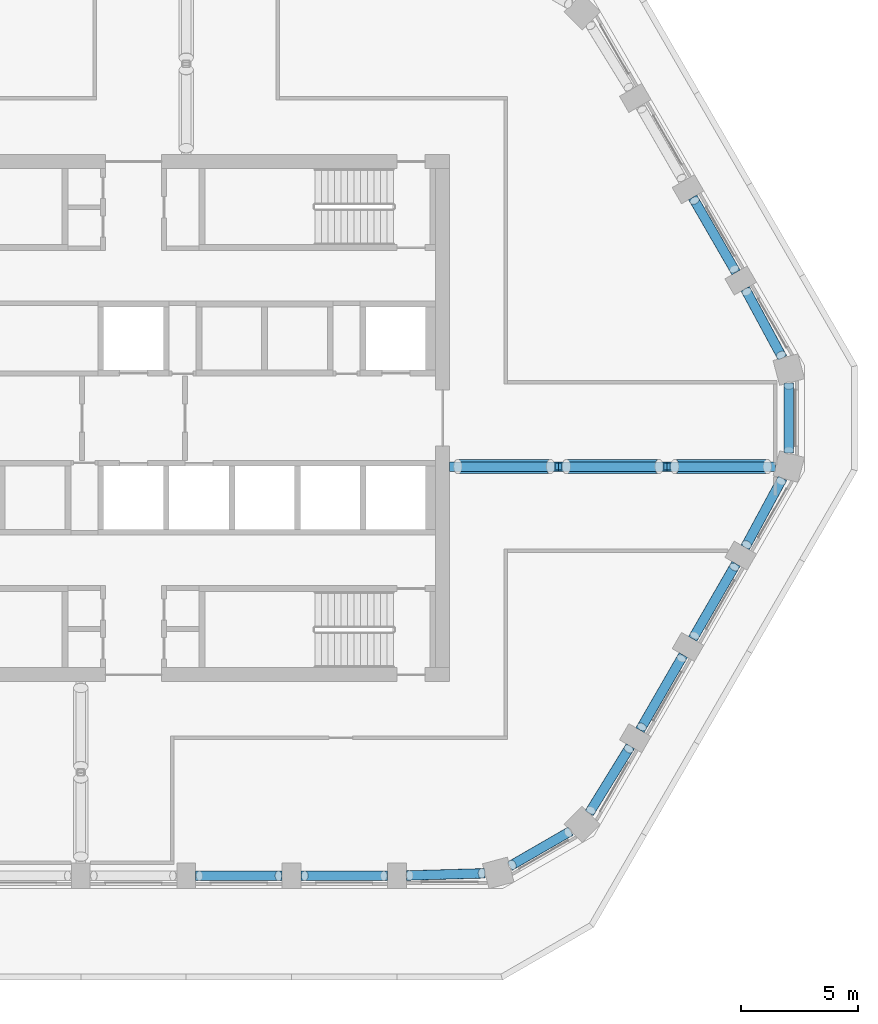
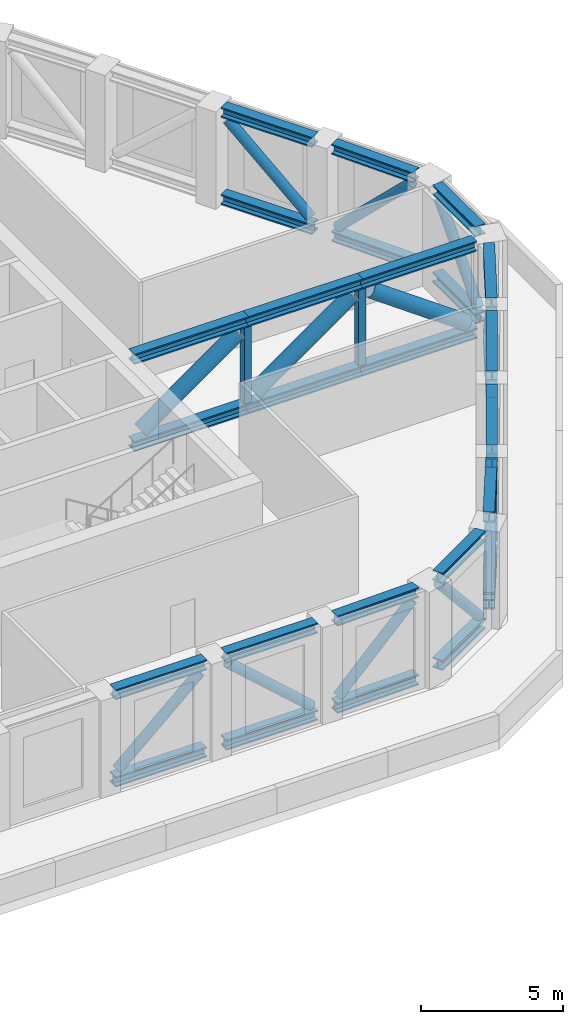
# One storey, part 3 of 15: 28 beams, 16 members.
"""IFC4 building model written with IfcOpenShell, lengths in metres."""

from ifc_helpers import new_model, si_unit, direction, frame, origin, origin_2d, place, context, subcontext, project, spatial, hollow_rectangle, hollow_circle, i_section, extrude, material, material_profile, profile_set, type_object, element, save


model = new_model("IFC4")

# Units and contexts
model_context = context("Model", 3, precision=1e-05, world=origin(), true_north=direction((0.0, 1.0)))
body_context = subcontext(model_context, "Body", "Model", "MODEL_VIEW")
ifc_project = project(units=[si_unit("LENGTHUNIT", "METRE"), si_unit("AREAUNIT", "SQUARE_METRE"), si_unit("VOLUMEUNIT", "CUBIC_METRE"), si_unit("PLANEANGLEUNIT", "RADIAN"), si_unit("MASSUNIT", "GRAM", prefix="KILO")], contexts=[model_context])

# Site, building, storey
site_placement = place(None, origin())
site = spatial("IfcSite", under=ifc_project, at=site_placement, CompositionType="ELEMENT")
building_placement = place(site_placement, origin())
building = spatial("IfcBuilding", under=site, at=building_placement, Name="Dhurran Vertical Campus", CompositionType="ELEMENT")
storey_placement = place(building_placement, frame((0.0, 0.0, 230.699951171875)))
storey = spatial("IfcBuildingStorey", under=building, at=storey_placement, Name="L57 Plant", CompositionType="ELEMENT", Elevation=230.699951171875)

# Beams
ifc_material_1 = material(Name="Steel ASTM A992", Category="steel")
ifc_material_profile_1 = material_profile(ifc_material_1, i_section(OverallWidth=0.412109375, OverallDepth=0.43505859375, WebThickness=0.035888671875, FlangeThickness=0.057373046875, at=origin_2d()), Name="W360x463")
ifc_profile_set_1 = profile_set([ifc_material_profile_1], Name="Steel ASTM A992")
beam_type_1 = type_object("IfcBeamType", Name="FR BELT CHORD W360x463", PredefinedType="BEAM", material=ifc_profile_set_1)
for number, where, z_axis, x_axis, name in (
    (1, (2.64990234375, -19.53857421875, 0.217529296875), (1.0, 0.0, 0.0), (0.0, 1.0, 0.0), "Belt truss chord L57"),
    (2, (2.64990234375, -19.53857421875, 3.95751953125), (1.0, 0.0, 0.0), (0.0, 1.0, 0.0), "Belt truss chord L57"),
    (3, (7.14990234375, -19.53857421875, 0.217529296875), (1.0, 0.0, 0.0), (0.0, 1.0, 0.0), "Belt truss chord L57"),
    (4, (7.14990234375, -19.53857421875, 3.95751953125), (1.0, 0.0, 0.0), (0.0, 1.0, 0.0), "Belt truss chord L57"),
):
    element("IfcBeam", number, at=place(storey_placement, frame(where, z_axis=z_axis, x_axis=x_axis)), inside=storey, type_object=beam_type_1, Name=name, PredefinedType="BEAM", context=body_context, shape_type="SweptSolid", body=[
        extrude(i_section(OverallWidth=0.412109375, OverallDepth=0.43505859375, WebThickness=0.035888671875, FlangeThickness=0.057373046875, at=origin_2d()), origin(), (0.0, 0.0, 1.0), 3.7001953125),
    ])
for number, where, z_axis, x_axis, name in (
    (5, (11.64990234375, -19.527099609375, 0.217529296875), (0.999589114089, 0.028663617973, 0.0), (-0.028663617973, 0.999589114089, 0.0), "Belt truss chord L57"),
    (6, (11.64990234375, -19.527099609375, 3.95751953125), (0.999589114089, 0.028663617973, 0.0), (-0.028663617973, 0.999589114089, 0.0), "Belt truss chord L57"),
):
    element("IfcBeam", number, at=place(storey_placement, frame(where, z_axis=z_axis, x_axis=x_axis)), inside=storey, type_object=beam_type_1, Name=name, PredefinedType="BEAM", context=body_context, shape_type="SweptSolid", body=[
        extrude(i_section(OverallWidth=0.412109375, OverallDepth=0.43505859375, WebThickness=0.035888671875, FlangeThickness=0.057373046875, at=origin_2d()), origin(), (0.0, 0.0, 1.0), 3.35595703125),
    ])
for number, where, z_axis, x_axis, name in (
    (7, (16.0625, -19.130126953125, 0.217529296875), (0.866016204555, 0.500015933195, 0.0), (-0.500015933195, 0.866016204555, 0.0), "Belt truss chord L57"),
    (8, (16.0625, -19.130126953125, 3.95751953125), (0.866016204555, 0.500015933195, 0.0), (-0.500015933195, 0.866016204555, 0.0), "Belt truss chord L57"),
):
    element("IfcBeam", number, at=place(storey_placement, frame(where, z_axis=z_axis, x_axis=x_axis)), inside=storey, type_object=beam_type_1, Name=name, PredefinedType="BEAM", context=body_context, shape_type="SweptSolid", body=[
        extrude(i_section(OverallWidth=0.412109375, OverallDepth=0.43505859375, WebThickness=0.035888671875, FlangeThickness=0.057373046875, at=origin_2d()), origin(), (0.0, 0.0, 1.0), 3.00048828125),
    ])
for number, where, z_axis, x_axis, name in (
    (9, (19.450439453125, -16.864013671875, 0.217529296875), (0.524612836657, 0.851340925608, 0.0), (-0.851340925608, 0.524612836657, 0.0), "Belt truss chord L57"),
    (10, (19.450439453125, -16.864013671875, 3.95751953125), (0.524612836657, 0.851340925608, 0.0), (-0.851340925608, 0.524612836657, 0.0), "Belt truss chord L57"),
):
    element("IfcBeam", number, at=place(storey_placement, frame(where, z_axis=z_axis, x_axis=x_axis)), inside=storey, type_object=beam_type_1, Name=name, PredefinedType="BEAM", context=body_context, shape_type="SweptSolid", body=[
        extrude(i_section(OverallWidth=0.412109375, OverallDepth=0.43505859375, WebThickness=0.035888671875, FlangeThickness=0.057373046875, at=origin_2d()), origin(), (0.0, 0.0, 1.0), 3.355712890625),
    ])
for number, where, z_axis, x_axis, name in (
    (11, (21.620849609375, -13.31982421875, 0.217529296875), (0.499964254978, 0.866046040199, 0.0), (-0.866046040199, 0.499964254978, 0.0), "Belt truss chord L57"),
    (12, (21.620849609375, -13.31982421875, 3.95751953125), (0.499964254978, 0.866046040199, 0.0), (-0.866046040199, 0.499964254978, 0.0), "Belt truss chord L57"),
    (13, (23.870849609375, -9.4228515625, 0.217529296875), (0.499964254978, 0.866046040199, 0.0), (-0.866046040199, 0.499964254978, 0.0), "Belt truss chord L57"),
    (14, (23.870849609375, -9.4228515625, 3.95751953125), (0.499964254978, 0.866046040199, 0.0), (-0.866046040199, 0.499964254978, 0.0), "Belt truss chord L57"),
):
    element("IfcBeam", number, at=place(storey_placement, frame(where, z_axis=z_axis, x_axis=x_axis)), inside=storey, type_object=beam_type_1, Name=name, PredefinedType="BEAM", context=body_context, shape_type="SweptSolid", body=[
        extrude(i_section(OverallWidth=0.412109375, OverallDepth=0.43505859375, WebThickness=0.035888671875, FlangeThickness=0.057373046875, at=origin_2d()), origin(), (0.0, 0.0, 1.0), 3.699951171875),
    ])
for number, where, z_axis, x_axis, name in (
    (15, (26.11083984375, -5.52001953125, 0.217529296875), (0.475045275209, 0.879961355118, 0.0), (-0.879961355118, 0.475045275209, 0.0), "Belt truss chord L57"),
    (16, (26.11083984375, -5.52001953125, 3.95751953125), (0.475045275209, 0.879961355118, 0.0), (-0.879961355118, 0.475045275209, 0.0), "Belt truss chord L57"),
):
    element("IfcBeam", number, at=place(storey_placement, frame(where, z_axis=z_axis, x_axis=x_axis)), inside=storey, type_object=beam_type_1, Name=name, PredefinedType="BEAM", context=body_context, shape_type="SweptSolid", body=[
        extrude(i_section(OverallWidth=0.412109375, OverallDepth=0.43505859375, WebThickness=0.035888671875, FlangeThickness=0.057373046875, at=origin_2d()), origin(), (0.0, 0.0, 1.0), 3.35595703125),
    ])
for number, where, z_axis, x_axis, name in (
    (17, (27.973388671875, -1.5, 0.217529296875), (0.0, 1.0, 0.0), (-1.0, 0.0, 0.0), "Belt truss chord L57"),
    (18, (27.973388671875, -1.5, 3.95751953125), (0.0, 1.0, 0.0), (-1.0, 0.0, 0.0), "Belt truss chord L57"),
):
    element("IfcBeam", number, at=place(storey_placement, frame(where, z_axis=z_axis, x_axis=x_axis)), inside=storey, type_object=beam_type_1, Name=name, PredefinedType="BEAM", context=body_context, shape_type="SweptSolid", body=[
        extrude(i_section(OverallWidth=0.412109375, OverallDepth=0.43505859375, WebThickness=0.035888671875, FlangeThickness=0.057373046875, at=origin_2d()), origin(), (0.0, 0.0, 1.0), 3.0),
    ])
for number, where, z_axis, x_axis, name in (
    (19, (27.705078125, 2.56689453125, 0.217529296875), (-0.475045275209, 0.879961355118, 0.0), (-0.879961355118, -0.475045275209, 0.0), "Belt truss chord L57"),
    (20, (27.705078125, 2.56689453125, 3.95751953125), (-0.475045275209, 0.879961355118, 0.0), (-0.879961355118, -0.475045275209, 0.0), "Belt truss chord L57"),
):
    element("IfcBeam", number, at=place(storey_placement, frame(where, z_axis=z_axis, x_axis=x_axis)), inside=storey, type_object=beam_type_1, Name=name, PredefinedType="BEAM", context=body_context, shape_type="SweptSolid", body=[
        extrude(i_section(OverallWidth=0.412109375, OverallDepth=0.43505859375, WebThickness=0.035888671875, FlangeThickness=0.057373046875, at=origin_2d()), origin(), (0.0, 0.0, 1.0), 3.35595703125),
    ])
for number, where, z_axis, x_axis, name in (
    (21, (25.720703125, 6.218505859375, 0.217529296875), (-0.499964254978, 0.866046040199, 0.0), (-0.866046040199, -0.499964254978, 0.0), "Belt truss chord L57"),
    (22, (25.720703125, 6.218505859375, 3.95751953125), (-0.499964254978, 0.866046040199, 0.0), (-0.866046040199, -0.499964254978, 0.0), "Belt truss chord L57"),
):
    element("IfcBeam", number, at=place(storey_placement, frame(where, z_axis=z_axis, x_axis=x_axis)), inside=storey, type_object=beam_type_1, Name=name, PredefinedType="BEAM", context=body_context, shape_type="SweptSolid", body=[
        extrude(i_section(OverallWidth=0.412109375, OverallDepth=0.43505859375, WebThickness=0.035888671875, FlangeThickness=0.057373046875, at=origin_2d()), origin(), (0.0, 0.0, 1.0), 3.699951171875),
    ])

# Members
ifc_material_2 = material(Name="Steel S355J2H", Category="steel")
ifc_material_profile_2 = material_profile(ifc_material_2, hollow_circle(Radius=0.203125, WallThickness=0.01611328125, at=origin_2d()), Name="CHS406.4x16")
ifc_profile_set_2 = profile_set([ifc_material_profile_2], Name="Steel S355J2H")
member_type_1 = type_object("IfcMemberType", Name="FR BELT DIAGONAL CHS406.4x16", PredefinedType="BRACE", material=ifc_profile_set_2)
for number, where, z_axis, x_axis, name in (
    (23, (2.819580078125, -19.53857421875, 0.586669921875), (0.745804991219, 0.0, 0.666164330381), (0.0, 1.0, 0.0), "Belt truss diagonal L57"),
    (24, (10.680419921875, -19.53857421875, 0.586669921875), (-0.745804991219, 0.0, 0.666164330381), (0.0, -1.0, 0.0), "Belt truss diagonal L57"),
):
    element("IfcMember", number, at=place(storey_placement, frame(where, z_axis=z_axis, x_axis=x_axis)), inside=storey, type_object=member_type_1, Name=name, PredefinedType="BRACE", context=body_context, shape_type="SweptSolid", body=[
        extrude(hollow_circle(Radius=0.203125, WallThickness=0.01611328125, at=origin_2d()), origin(), (0.0, 0.0, 1.0), 4.50634765625),
    ])
member_1_placement = place(storey_placement, frame((11.796875, -19.522705078125, 0.579833984375), z_axis=(0.71219609835, 0.020338720741, 0.701685865565), x_axis=(-0.028546115717, 0.999592476601, 0.0)))
element("IfcMember", 25, at=member_1_placement, inside=storey, type_object=member_type_1, Name="Belt truss diagonal L57", PredefinedType="BRACE", context=body_context, shape_type="SweptSolid", body=[
    extrude(hollow_circle(Radius=0.203125, WallThickness=0.01611328125, at=origin_2d()), origin(), (0.0, 0.0, 1.0), 4.29736328125),
])
member_2_placement = place(storey_placement, frame((18.553466796875, -17.69189453125, 0.571533203125), z_axis=(-0.582076792351, -0.336081827152, 0.740429343871), x_axis=(0.500021908856, -0.866012754331, 0.0)))
element("IfcMember", 26, at=member_2_placement, inside=storey, type_object=member_type_1, Name="Belt truss diagonal L57", PredefinedType="BRACE", context=body_context, shape_type="SweptSolid", body=[
    extrude(hollow_circle(Radius=0.203125, WallThickness=0.01611328125, at=origin_2d()), origin(), (0.0, 0.0, 1.0), 4.094970703125),
])
member_3_placement = place(storey_placement, frame((19.527587890625, -16.739013671875, 0.579833984375), z_axis=(0.373752449697, 0.606616303066, 0.70165929567), x_axis=(-0.851376223454, 0.524555551049, 0.0)))
element("IfcMember", 27, at=member_3_placement, inside=storey, type_object=member_type_1, Name="Belt truss diagonal L57", PredefinedType="BRACE", context=body_context, shape_type="SweptSolid", body=[
    extrude(hollow_circle(Radius=0.203125, WallThickness=0.01611328125, at=origin_2d()), origin(), (0.0, 0.0, 1.0), 4.297607421875),
])
member_4_placement = place(storey_placement, frame((23.385986328125, -10.262451171875, 0.586669921875), z_axis=(-0.372898655487, -0.645895361138, 0.66615747027), x_axis=(0.866030748172, -0.499990743136, 0.0)))
element("IfcMember", 28, at=member_4_placement, inside=storey, type_object=member_type_1, Name="Belt truss diagonal L57", PredefinedType="BRACE", context=body_context, shape_type="SweptSolid", body=[
    extrude(hollow_circle(Radius=0.203125, WallThickness=0.01611328125, at=origin_2d()), origin(), (0.0, 0.0, 1.0), 4.50634765625),
])
member_5_placement = place(storey_placement, frame((23.95556640625, -9.27587890625, 0.586669921875), z_axis=(0.372911704288, 0.645863784224, 0.666180781044), x_axis=(-0.866012586781, 0.500022199045, 0.0)))
element("IfcMember", 29, at=member_5_placement, inside=storey, type_object=member_type_1, Name="Belt truss diagonal L57", PredefinedType="BRACE", context=body_context, shape_type="SweptSolid", body=[
    extrude(hollow_circle(Radius=0.203125, WallThickness=0.01611328125, at=origin_2d()), origin(), (0.0, 0.0, 1.0), 4.506103515625),
])
member_6_placement = place(storey_placement, frame((27.635009765625, -2.6962890625, 0.579833984375), z_axis=(-0.338429667722, -0.62697831341, 0.701686222266), x_axis=(0.879986727725, -0.474998272658, 0.0)))
element("IfcMember", 30, at=member_6_placement, inside=storey, type_object=member_type_1, Name="Belt truss diagonal L57", PredefinedType="BRACE", context=body_context, shape_type="SweptSolid", body=[
    extrude(hollow_circle(Radius=0.203125, WallThickness=0.01611328125, at=origin_2d()), origin(), (0.0, 0.0, 1.0), 4.29736328125),
])
member_7_placement = place(storey_placement, frame((27.973388671875, -1.376220703125, 0.571533203125), z_axis=(0.0, 0.672150348738, 0.740414686977), x_axis=(-1.0, 0.0, 0.0)))
element("IfcMember", 31, at=member_7_placement, inside=storey, type_object=member_type_1, Name="Belt truss diagonal L57", PredefinedType="BRACE", context=body_context, shape_type="SweptSolid", body=[
    extrude(hollow_circle(Radius=0.203125, WallThickness=0.01611328125, at=origin_2d()), origin(), (0.0, 0.0, 1.0), 4.094970703125),
])
member_8_placement = place(storey_placement, frame((26.1806640625, 5.390625, 0.579833984375), z_axis=(0.338429667722, -0.62697831341, 0.701686222266), x_axis=(0.879986727725, 0.474998272658, 0.0)))
element("IfcMember", 32, at=member_8_placement, inside=storey, type_object=member_type_1, Name="Belt truss diagonal L57", PredefinedType="BRACE", context=body_context, shape_type="SweptSolid", body=[
    extrude(hollow_circle(Radius=0.203125, WallThickness=0.01611328125, at=origin_2d()), origin(), (0.0, 0.0, 1.0), 4.29736328125),
])
member_9_placement = place(storey_placement, frame((25.635986328125, 6.365478515625, 0.586669921875), z_axis=(-0.372911704288, 0.645863784224, 0.666180781044), x_axis=(-0.866012586781, -0.500022199045, 0.0)))
element("IfcMember", 33, at=member_9_placement, inside=storey, type_object=member_type_1, Name="Belt truss diagonal L57", PredefinedType="BRACE", context=body_context, shape_type="SweptSolid", body=[
    extrude(hollow_circle(Radius=0.203125, WallThickness=0.01611328125, at=origin_2d()), origin(), (0.0, 0.0, 1.0), 4.506103515625),
])

# Beams
ifc_material_3 = material(Name="Steel ASTM A992", Category="steel")
ifc_material_profile_3 = material_profile(ifc_material_3, i_section(OverallWidth=0.412109375, OverallDepth=0.43505859375, WebThickness=0.035888671875, FlangeThickness=0.057373046875, at=origin_2d()), Name="W360x463")
ifc_profile_set_3 = profile_set([ifc_material_profile_3], Name="Steel ASTM A992")
beam_type_2 = type_object("IfcBeamType", Name="FR OUTRIGGER CHORD W360x463", PredefinedType="BEAM", material=ifc_profile_set_3)
for number, where, z_axis, x_axis, name in (
    (34, (13.5, -2.069580078125, 0.217529296875), (1.0, 0.0, 0.0), (0.0, 1.0, 0.0), "Outrigger truss chord L57"),
    (35, (13.5, -2.069580078125, 3.95751953125), (1.0, 0.0, 0.0), (0.0, 1.0, 0.0), "Outrigger truss chord L57"),
):
    element("IfcBeam", number, at=place(storey_placement, frame(where, z_axis=z_axis, x_axis=x_axis)), inside=storey, type_object=beam_type_2, Name=name, PredefinedType="BEAM", context=body_context, shape_type="SweptSolid", body=[
        extrude(i_section(OverallWidth=0.412109375, OverallDepth=0.43505859375, WebThickness=0.035888671875, FlangeThickness=0.057373046875, at=origin_2d()), origin(), (0.0, 0.0, 1.0), 4.634765625),
    ])
for number, where, z_axis, x_axis, name in (
    (36, (18.134765625, -2.069580078125, 0.217529296875), (1.0, 0.0, 0.0), (0.0, 1.0, 0.0), "Outrigger truss chord L57"),
    (37, (18.134765625, -2.069580078125, 3.95751953125), (1.0, 0.0, 0.0), (0.0, 1.0, 0.0), "Outrigger truss chord L57"),
):
    element("IfcBeam", number, at=place(storey_placement, frame(where, z_axis=z_axis, x_axis=x_axis)), inside=storey, type_object=beam_type_2, Name=name, PredefinedType="BEAM", context=body_context, shape_type="SweptSolid", body=[
        extrude(i_section(OverallWidth=0.412109375, OverallDepth=0.43505859375, WebThickness=0.035888671875, FlangeThickness=0.057373046875, at=origin_2d()), origin(), (0.0, 0.0, 1.0), 4.634521484375),
    ])
for number, where, z_axis, x_axis, name in (
    (38, (22.769287109375, -2.069580078125, 0.217529296875), (1.0, 0.0, 0.0), (0.0, 1.0, 0.0), "Outrigger truss chord L57"),
    (39, (22.769287109375, -2.069580078125, 3.95751953125), (1.0, 0.0, 0.0), (0.0, 1.0, 0.0), "Outrigger truss chord L57"),
):
    element("IfcBeam", number, at=place(storey_placement, frame(where, z_axis=z_axis, x_axis=x_axis)), inside=storey, type_object=beam_type_2, Name=name, PredefinedType="BEAM", context=body_context, shape_type="SweptSolid", body=[
        extrude(i_section(OverallWidth=0.412109375, OverallDepth=0.43505859375, WebThickness=0.035888671875, FlangeThickness=0.057373046875, at=origin_2d()), origin(), (0.0, 0.0, 1.0), 4.634765625),
    ])

# Members
ifc_material_4 = material(Name="Steel S355J2H", Category="steel")
ifc_material_profile_4 = material_profile(ifc_material_4, hollow_circle(Radius=0.304931640625, WallThickness=0.02001953125, at=origin_2d()), Name="CHS610x20")
ifc_profile_set_4 = profile_set([ifc_material_profile_4], Name="Steel S355J2H")
member_type_2 = type_object("IfcMemberType", Name="FR OUTRIGGER DIAGONAL CHS610x20", PredefinedType="BRACE", material=ifc_profile_set_4)
member_10_placement = place(storey_placement, frame((13.84814453125, -2.069580078125, 0.683349609375), z_axis=(0.814207224043, 0.0, 0.580574367602), x_axis=(0.0, 1.0, 0.0)))
element("IfcMember", 40, at=member_10_placement, inside=storey, type_object=member_type_2, Name="Outrigger truss diagonal L57", PredefinedType="BRACE", context=body_context, shape_type="SweptSolid", body=[
    extrude(hollow_circle(Radius=0.304931640625, WallThickness=0.02001953125, at=origin_2d()), origin(), (0.0, 0.0, 1.0), 4.837158203125),
])
for number, where, z_axis, x_axis, name in (
    (41, (18.48291015625, -2.069580078125, 0.683349609375), (0.814190210717, 0.0, 0.580598226636), (0.0, 1.0, 0.0), "Outrigger truss diagonal L57"),
    (42, (27.055908203125, -2.069580078125, 0.683349609375), (-0.814190210717, 0.0, 0.580598226636), (0.0, -1.0, 0.0), "Outrigger truss diagonal L57"),
):
    element("IfcMember", number, at=place(storey_placement, frame(where, z_axis=z_axis, x_axis=x_axis)), inside=storey, type_object=member_type_2, Name=name, PredefinedType="BRACE", context=body_context, shape_type="SweptSolid", body=[
        extrude(hollow_circle(Radius=0.304931640625, WallThickness=0.02001953125, at=origin_2d()), origin(), (0.0, 0.0, 1.0), 4.8369140625),
    ])
ifc_material_5 = material(Name="Steel S355J2H", Category="steel")
ifc_material_profile_5 = material_profile(ifc_material_5, hollow_rectangle(XDim=0.300048828125, YDim=0.300048828125, WallThickness=0.012451171875, at=origin_2d()), Name="SHS300x300x12.5")
ifc_profile_set_5 = profile_set([ifc_material_profile_5], Name="Steel S355J2H")
member_type_3 = type_object("IfcMemberType", Name="FR OUTRIGGER POST SHS300x300x12.5", PredefinedType="POST", material=ifc_profile_set_5)
for number, where, z_axis, x_axis, name in (
    (43, (18.134765625, -2.069580078125, 0.43505859375), (0.0, 0.0, 1.0), (1.0, 0.0, 0.0), "Outrigger truss post L57"),
    (44, (22.769287109375, -2.069580078125, 0.43505859375), (0.0, 0.0, 1.0), (1.0, 0.0, 0.0), "Outrigger truss post L57"),
):
    element("IfcMember", number, at=place(storey_placement, frame(where, z_axis=z_axis, x_axis=x_axis)), inside=storey, type_object=member_type_3, Name=name, PredefinedType="POST", context=body_context, shape_type="SweptSolid", body=[
        extrude(hollow_rectangle(XDim=0.300048828125, YDim=0.300048828125, WallThickness=0.012451171875, at=origin_2d()), origin(), (0.0, 0.0, 1.0), 3.304931640625),
    ])

save(model, "model.ifc")
